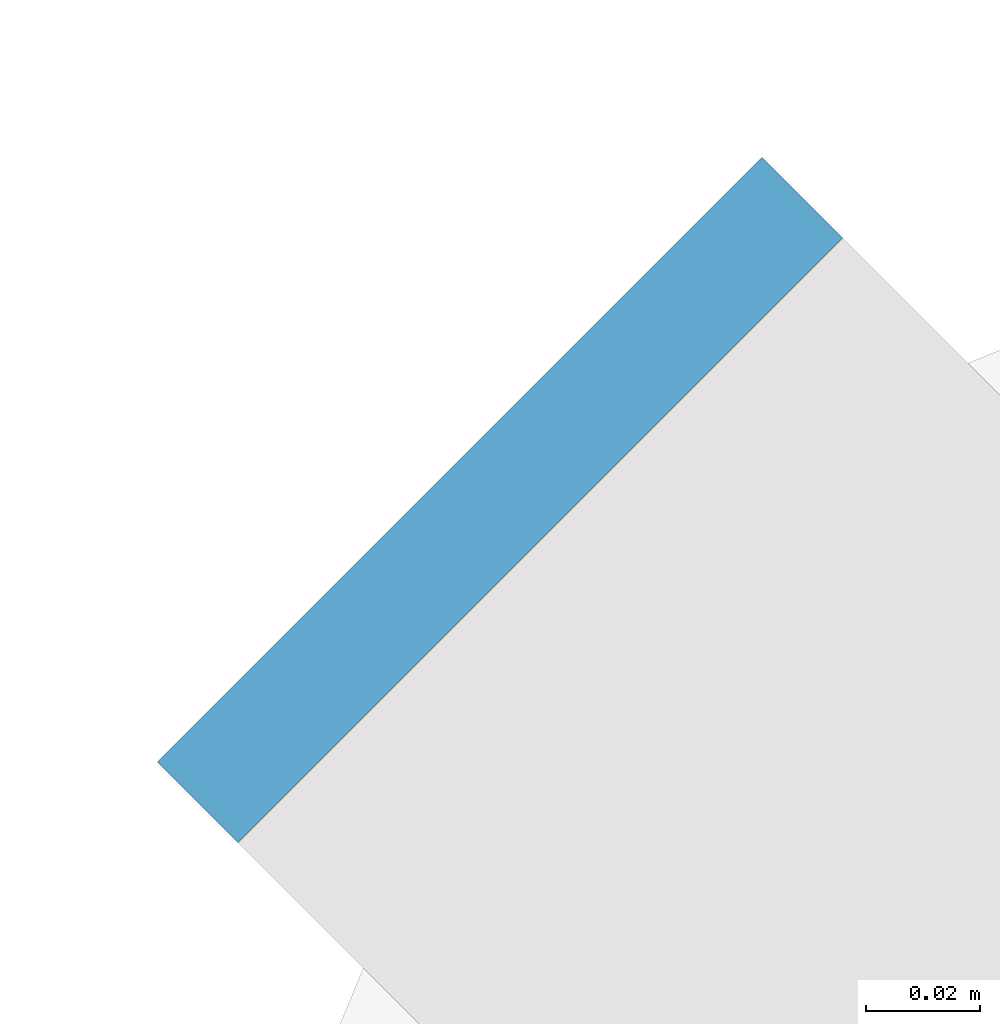
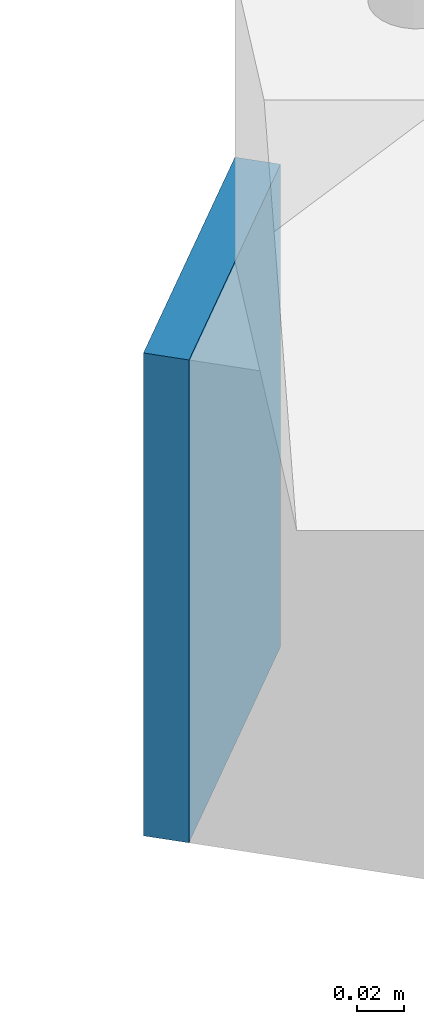
# One storey, part 20 of 29: 1 discrete accessory.
"""IFC4 building model written with IfcOpenShell, lengths in metres."""

from ifc_helpers import new_model, si_unit, direction, frame, origin, origin_2d, place, context, subcontext, project, spatial, rectangle, extrude, material, layer, layer_set, type_object, element, save


model = new_model("IFC4")

# Units and contexts
model_context = context("Model", 3, precision=1e-05, world=origin(), true_north=direction((0.0, 1.0)))
body_context = subcontext(model_context, "Body", "Model", "MODEL_VIEW")
ifc_project = project(units=[si_unit("LENGTHUNIT", "METRE"), si_unit("AREAUNIT", "SQUARE_METRE"), si_unit("VOLUMEUNIT", "CUBIC_METRE"), si_unit("PLANEANGLEUNIT", "RADIAN"), si_unit("MASSUNIT", "GRAM", prefix="KILO")], contexts=[model_context])

# Site, building, storey
site_placement = place(None, origin())
site = spatial("IfcSite", under=ifc_project, at=site_placement, CompositionType="ELEMENT")
building_placement = place(site_placement, origin())
building = spatial("IfcBuilding", under=site, at=building_placement, Name="Siwar Civic Tower", CompositionType="ELEMENT")
storey_placement = place(building_placement, frame((0.0, 0.0, 67.199951171875)))
storey = spatial("IfcBuildingStorey", under=building, at=storey_placement, Name="L14", CompositionType="ELEMENT", Elevation=67.199951171875)

# Discrete accessory
ifc_material = material(Name="Steel S355", Category="steel")
ifc_layer = layer(ifc_material, 0.02001953125)
ifc_layer_set = layer_set([ifc_layer], Name="Steel S355")
discrete_accessory_type = type_object("IfcDiscreteAccessoryType", Name="STR-END-CAP", PredefinedType="USERDEFINED", material=ifc_layer_set)
discrete_accessory_placement = place(storey_placement, frame((-30.478271484375, 30.478271484375, -0.39990234375), z_axis=(0.0, 0.0, 1.0), x_axis=(-0.707106781187, 0.707106781187, 0.0)))
element("IfcDiscreteAccessory", 1, at=discrete_accessory_placement, inside=storey, type_object=discrete_accessory_type, Name="End cap plate Balcony cantilever beam NW 2", ObjectType="END CAP PLATE", PredefinedType="USERDEFINED", context=body_context, shape_type="SweptSolid", body=[
    extrude(rectangle(XDim=0.02001953125, YDim=0.14990234375, at=origin_2d()), origin(), (0.0, 0.0, 1.0), 0.25),
])

save(model, "model.ifc")
